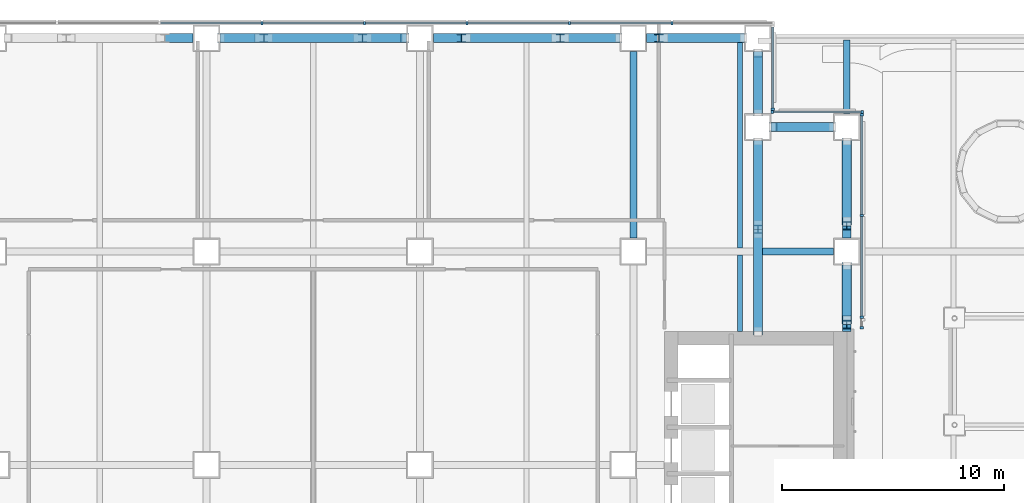
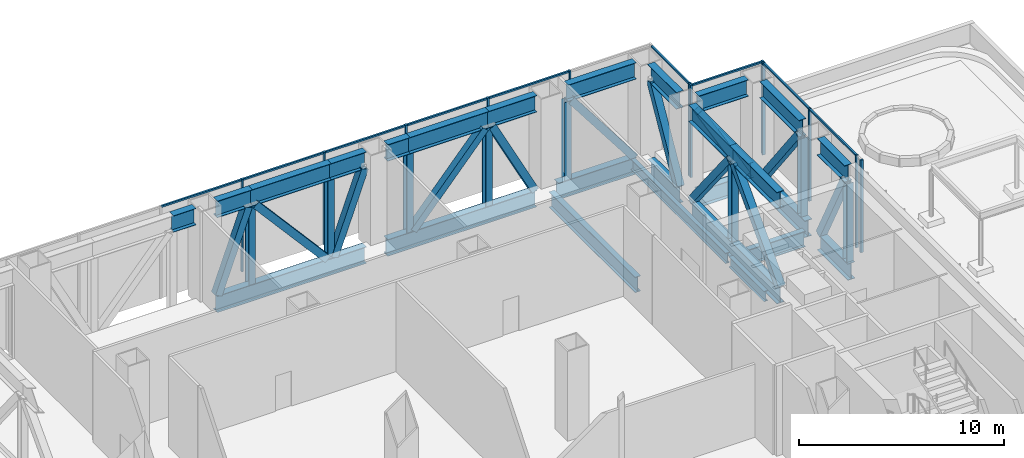
# One storey, part 13 of 39: 63 members, 5 beams, 4 elements without a shape of their own.
"""IFC4 building model written with IfcOpenShell, lengths in metres."""

import ifcopenshell
import ifcopenshell.guid

model = None  # the IFC model being written
_history = None  # IfcOwnerHistory: only IFC2X3 demands one
_inside = {}  # id of a spatial element -> (the spatial element, [elements in it])
_under = {}  # id of a project, library or spatial element -> (it, [spatial elements below it])
_declared = {}  # id of a project -> (the project, [libraries it declares])
_typed = {}  # id of a type object -> (the type object, [elements of that type])
_made_of = {}  # id of a material, layer set ... -> (it, [elements and type objects made of it])


def new_model(schema):
    """Start an empty IFC model of exactly this schema.

    Asked for "IFC4X3", IfcOpenShell would pick the latest addendum, in which some entities
    have other attributes; the version numbers below select the first issue.
    IFC2X3 requires an IfcOwnerHistory on every rooted entity: one is made here for all.
    """
    global model, _history
    if schema == "IFC4X3":
        model = ifcopenshell.file(schema_version=(4, 3, 0, 0))
    else:
        model = ifcopenshell.file(schema=schema)
    _inside.clear()
    _under.clear()
    _declared.clear()
    _typed.clear()
    _made_of.clear()
    _history = None
    if model.schema == "IFC2X3":
        org = make("IfcOrganization", Name="unknown")
        user = make(
            "IfcPersonAndOrganization",
            ThePerson=make("IfcPerson", FamilyName="unknown"),
            TheOrganization=org,
        )
        app = make(
            "IfcApplication",
            ApplicationDeveloper=org,
            Version="unknown",
            ApplicationFullName="unknown",
            ApplicationIdentifier="unknown",
        )
        _history = make(
            "IfcOwnerHistory",
            OwningUser=user,
            OwningApplication=app,
            ChangeAction="ADDED",
            CreationDate=0,
        )
    return model


def make(cls, **values):
    """One entity of the class cls with the attributes given. An attribute that is None is left unset."""
    return model.create_entity(
        cls, **{name: value for name, value in values.items() if value is not None}
    )


def rooted(cls, **values):
    """An entity with a GlobalId (a new one), such as an element, a storey or a relation."""
    return make(cls, GlobalId=ifcopenshell.guid.new(), OwnerHistory=_history, **values)


def si_unit(unit_type, name, prefix=None):
    """IfcSIUnit, for example si_unit("LENGTHUNIT", "METRE", prefix="MILLI")."""
    return make("IfcSIUnit", UnitType=unit_type, Prefix=prefix, Name=name)


def assignment(units):
    """IfcUnitAssignment: the units of a project."""
    return None if units is None else make("IfcUnitAssignment", Units=units)


def point(xyz):
    """IfcCartesianPoint."""
    return None if xyz is None else make("IfcCartesianPoint", Coordinates=xyz)


def direction(xyz):
    """IfcDirection."""
    return None if xyz is None else make("IfcDirection", DirectionRatios=xyz)


def frame(location, z_axis=None, x_axis=None):
    """IfcAxis2Placement3D, a coordinate frame: its origin and axes. An axis left out is left unset."""
    return make(
        "IfcAxis2Placement3D",
        Location=point(location),
        Axis=direction(z_axis),
        RefDirection=direction(x_axis),
    )


def frame_2d(location, x_axis=None):
    """IfcAxis2Placement2D, a coordinate frame in the plane: its origin and x axis."""
    return make(
        "IfcAxis2Placement2D", Location=point(location), RefDirection=direction(x_axis)
    )


def origin():
    """The frame at (0, 0, 0) with its axes left unset."""
    return frame((0.0, 0.0, 0.0))


def origin_2d():
    """The frame at (0, 0) in the plane with its x axis left unset."""
    return frame_2d((0.0, 0.0))


def place(relative_to, where):
    """IfcLocalPlacement: puts the frame where relative to a parent placement (None: the world)."""
    return make(
        "IfcLocalPlacement", PlacementRelTo=relative_to, RelativePlacement=where
    )


def context(
    kind, dimensions, precision=None, world=None, true_north=None, identifier=None
):
    """IfcGeometricRepresentationContext, for example the 3D "Model" context."""
    return make(
        "IfcGeometricRepresentationContext",
        ContextIdentifier=identifier,
        ContextType=kind,
        CoordinateSpaceDimension=dimensions,
        Precision=precision,
        WorldCoordinateSystem=world,
        TrueNorth=true_north,
    )


def subcontext(parent, identifier, kind, view, scale=None):
    """IfcGeometricRepresentationSubContext, for example "Body" below "Model"."""
    return make(
        "IfcGeometricRepresentationSubContext",
        ContextIdentifier=identifier,
        ContextType=kind,
        ParentContext=parent,
        TargetScale=scale,
        TargetView=view,
    )


def project(units=None, contexts=None):
    """IfcProject with its units and contexts."""
    return rooted(
        "IfcProject",
        Name="project",
        RepresentationContexts=contexts,
        UnitsInContext=assignment(units),
    )


def spatial(cls, under=None, at=None, **own):
    """A site, building, storey or space (cls), placed at a placement, below another one or the project."""
    s = rooted(cls, ObjectPlacement=at, **own)
    if under is not None:
        _under.setdefault(under.id(), (under, []))[1].append(s)
    return s


def profile(cls, at=None, kind="AREA", **sizes):
    """A parametric profile (cls). Its sizes go by their IFC names, for example OverallWidth=200.0."""
    return make(cls, ProfileType=kind, Position=at, **sizes)


def rectangle(**sizes):
    """IfcRectangleProfileDef."""
    return profile("IfcRectangleProfileDef", **sizes)


def hollow_rectangle(**sizes):
    """IfcRectangleHollowProfileDef."""
    return profile("IfcRectangleHollowProfileDef", **sizes)


def i_section(**sizes):
    """IfcIShapeProfileDef."""
    return profile("IfcIShapeProfileDef", **sizes)


def extrude(swept, where, along, depth):
    """IfcExtrudedAreaSolid: the profile swept, set in the frame where, extruded along a direction by depth."""
    return make(
        "IfcExtrudedAreaSolid",
        SweptArea=swept,
        Position=where,
        ExtrudedDirection=direction(along),
        Depth=depth,
    )


def shape(context_of_items, identifier, shape_type, items):
    """IfcShapeRepresentation: the items that make up one representation, for example the "Body"."""
    return make(
        "IfcShapeRepresentation",
        ContextOfItems=context_of_items,
        RepresentationIdentifier=identifier,
        RepresentationType=shape_type,
        Items=items,
    )


def material(Name=None, Category=None):
    """IfcMaterial."""
    return make("IfcMaterial", Name=Name, Category=Category)


def material_profile(
    of_material, cross_section, Name=None, Category=None, Priority=None
):
    """IfcMaterialProfile: a cross section and its material."""
    return make(
        "IfcMaterialProfile",
        Name=Name,
        Material=of_material,
        Profile=cross_section,
        Priority=Priority,
        Category=Category,
    )


def profile_set(profiles, Name=None, composite=None):
    """IfcMaterialProfileSet."""
    return make(
        "IfcMaterialProfileSet",
        Name=Name,
        MaterialProfiles=profiles,
        CompositeProfile=composite,
    )


def made_of(thing, what):
    """Note that an element or type object is made of a material, layer set ...; save() writes the relation."""
    if what is not None:
        _made_of.setdefault(what.id(), (what, []))[1].append(thing)
    return thing


def type_object(cls, material=None, **own):
    """A type object (cls), such as IfcWallType, which elements share."""
    return made_of(rooted(cls, **own), material)


def element(
    cls,
    number,
    at=None,
    inside=None,
    cuts=None,
    type_object=None,
    material=None,
    context=None,
    identifier="Body",
    shape_type=None,
    held_by="IfcProductDefinitionShape",
    body=None,
    shapes=None,
    **own,
):
    """One element of the class cls, such as IfcWall. Its Tag is "e" and its number.

    at: its placement. inside: the storey or other place that contains it. cuts: it is an
    opening in that element (IfcRelVoidsElement). A single representation is given by context,
    identifier, shape_type and body (its items); several are given by shapes. held_by: the class
    of the entity that holds the representations. save() writes the other relations.
    """
    e = rooted(cls, Tag="e%d" % number, ObjectPlacement=at, **own)
    if body is not None:
        shapes = [shape(context, identifier, shape_type, body)]
    if shapes is not None:
        e.Representation = make(held_by, Representations=shapes)
    if inside is not None:
        _inside.setdefault(inside.id(), (inside, []))[1].append(e)
    if cuts is not None:
        rooted(
            "IfcRelVoidsElement", RelatingBuildingElement=cuts, RelatedOpeningElement=e
        )
    if type_object is not None:
        _typed.setdefault(type_object.id(), (type_object, []))[1].append(e)
    return made_of(e, material)


def aggregate(whole, parts):
    """IfcRelAggregates: a whole, such as a stair, and the parts it consists of."""
    return rooted("IfcRelAggregates", RelatingObject=whole, RelatedObjects=parts)


def save(model, path):
    """Write the relations noted so far, then the file.

    IfcRelAggregates (storeys below a building ...), IfcRelContainedInSpatialStructure (elements
    in a storey), IfcRelDefinesByType, IfcRelAssociatesMaterial and IfcRelDeclares: one each for
    every whole, place, type object, material and project.
    """
    for whole, parts in _under.values():
        aggregate(whole, parts)
    for where, things in _inside.values():
        rooted(
            "IfcRelContainedInSpatialStructure",
            RelatedElements=things,
            RelatingStructure=where,
        )
    for kind, things in _typed.values():
        rooted("IfcRelDefinesByType", RelatedObjects=things, RelatingType=kind)
    for what, things in _made_of.values():
        rooted("IfcRelAssociatesMaterial", RelatedObjects=things, RelatingMaterial=what)
    for by, libraries in _declared.values():
        rooted("IfcRelDeclares", RelatingContext=by, RelatedDefinitions=libraries)
    model.write(path)


model = new_model("IFC4")

# Units and contexts
model_context = context("Model", 3, precision=1e-05, world=origin(), true_north=direction((0.0, 1.0)))
body_context = subcontext(model_context, "Body", "Model", "MODEL_VIEW")
ifc_project = project(units=[si_unit("LENGTHUNIT", "METRE"), si_unit("AREAUNIT", "SQUARE_METRE"), si_unit("VOLUMEUNIT", "CUBIC_METRE"), si_unit("PLANEANGLEUNIT", "RADIAN"), si_unit("MASSUNIT", "GRAM", prefix="KILO")], contexts=[model_context])

# Site, building, storey
site_placement = place(None, origin())
site = spatial("IfcSite", under=ifc_project, at=site_placement, CompositionType="ELEMENT")
building_placement = place(site_placement, origin())
building = spatial("IfcBuilding", under=site, at=building_placement, Name="Cobrizo Arcos Hotel Tower", CompositionType="ELEMENT")
storey_placement = place(building_placement, frame((0.0, 0.0, 33.5)))
storey = spatial("IfcBuildingStorey", under=building, at=storey_placement, Name="L06", CompositionType="ELEMENT", Elevation=33.5)

# Curtain wall, members
ifc_material_1 = material(Name="Aluminium 6063-T6 anodised bronze", Category="aluminium")
curtain_wall_type = type_object("IfcCurtainWallType", Name="CW-D plant louvre wall", PredefinedType="NOTDEFINED", material=ifc_material_1)
curtain_wall_1_placement = place(storey_placement, origin())
curtain_wall_1 = element("IfcCurtainWall", 1, at=curtain_wall_1_placement, inside=storey, type_object=curtain_wall_type, Name="CW-D L06 E face", PredefinedType="NOTDEFINED")
ifc_material_profile_1 = material_profile(ifc_material_1, rectangle(XDim=0.14990234375, YDim=0.10009765625, at=origin_2d()), Name="CW-D mullion 150x100")
ifc_profile_set_1 = profile_set([ifc_material_profile_1], Name="Aluminium 6063-T6 anodised bronze")
member_type_1 = type_object("IfcMemberType", Name="CW-D mullion 150x100", PredefinedType="MULLION", material=ifc_profile_set_1)
member_1_placement = place(storey_placement, frame((24.675048828125, 10.974365234375, 0.0), z_axis=(0.0, 0.0, 1.0), x_axis=(1.0, 0.0, 0.0)))
member_1 = element("IfcMember", 2, at=member_1_placement, type_object=member_type_1, Name="CW-D mullion 1", PredefinedType="MULLION", context=body_context, shape_type="SweptSolid", body=[
    extrude(rectangle(XDim=0.14990234375, YDim=0.10009765625, at=origin_2d()), origin(), (0.0, 0.0, 1.0), 5.5),
])
member_2_placement = place(storey_placement, frame((24.675048828125, 11.4443359375, 0.0), z_axis=(0.0, 0.0, 1.0), x_axis=(1.0, 0.0, 0.0)))
member_2 = element("IfcMember", 3, at=member_2_placement, type_object=member_type_1, Name="CW-D mullion 2", PredefinedType="MULLION", context=body_context, shape_type="SweptSolid", body=[
    extrude(rectangle(XDim=0.14990234375, YDim=0.10009765625, at=origin_2d()), origin(), (0.0, 0.0, 1.0), 5.5),
])
member_3_placement = place(storey_placement, frame((24.675048828125, 16.022216796875, 0.0), z_axis=(0.0, 0.0, 1.0), x_axis=(1.0, 0.0, 0.0)))
member_3 = element("IfcMember", 4, at=member_3_placement, type_object=member_type_1, Name="CW-D mullion 3", PredefinedType="MULLION", context=body_context, shape_type="SweptSolid", body=[
    extrude(rectangle(XDim=0.14990234375, YDim=0.10009765625, at=origin_2d()), origin(), (0.0, 0.0, 1.0), 5.5),
])
member_4_placement = place(storey_placement, frame((24.675048828125, 20.550048828125, 0.0), z_axis=(0.0, 0.0, 1.0), x_axis=(1.0, 0.0, 0.0)))
member_4 = element("IfcMember", 5, at=member_4_placement, type_object=member_type_1, Name="CW-D mullion 4", PredefinedType="MULLION", context=body_context, shape_type="SweptSolid", body=[
    extrude(rectangle(XDim=0.14990234375, YDim=0.10009765625, at=origin_2d()), origin(), (0.0, 0.0, 1.0), 5.5),
])

curtain_wall_2_placement = place(storey_placement, origin())
curtain_wall_2 = element("IfcCurtainWall", 6, at=curtain_wall_2_placement, inside=storey, type_object=curtain_wall_type, Name="CW-D L06 N face", PredefinedType="NOTDEFINED")
member_5_placement = place(storey_placement, frame((24.699951171875, 20.675048828125, 0.0), z_axis=(0.0, 0.0, 1.0), x_axis=(0.0, 1.0, 0.0)))
member_5 = element("IfcMember", 7, at=member_5_placement, type_object=member_type_1, Name="CW-D mullion 1", PredefinedType="MULLION", context=body_context, shape_type="SweptSolid", body=[
    extrude(rectangle(XDim=0.14990234375, YDim=0.10009765625, at=origin_2d()), origin(), (0.0, 0.0, 1.0), 5.5),
])
member_6_placement = place(storey_placement, frame((20.64990234375, 20.675048828125, 0.0), z_axis=(0.0, 0.0, 1.0), x_axis=(0.0, 1.0, 0.0)))
member_6 = element("IfcMember", 8, at=member_6_placement, type_object=member_type_1, Name="CW-D mullion 2", PredefinedType="MULLION", context=body_context, shape_type="SweptSolid", body=[
    extrude(rectangle(XDim=0.14990234375, YDim=0.10009765625, at=origin_2d()), origin(), (0.0, 0.0, 1.0), 5.5),
])

# Curtain wall, member
curtain_wall_3_placement = place(storey_placement, origin())
curtain_wall_3 = element("IfcCurtainWall", 9, at=curtain_wall_3_placement, inside=storey, type_object=curtain_wall_type, Name="CW-D L06 E face", PredefinedType="NOTDEFINED")
member_7_placement = place(storey_placement, frame((20.675048828125, 20.800048828125, 0.0), z_axis=(0.0, 0.0, 1.0), x_axis=(1.0, 0.0, 0.0)))
member_7 = element("IfcMember", 10, at=member_7_placement, type_object=member_type_1, Name="CW-D mullion 1", PredefinedType="MULLION", context=body_context, shape_type="SweptSolid", body=[
    extrude(rectangle(XDim=0.14990234375, YDim=0.10009765625, at=origin_2d()), origin(), (0.0, 0.0, 1.0), 5.5),
])

# Curtain wall, members
curtain_wall_4_placement = place(storey_placement, origin())
curtain_wall_4 = element("IfcCurtainWall", 11, at=curtain_wall_4_placement, inside=storey, type_object=curtain_wall_type, Name="CW-D L06 N face", PredefinedType="NOTDEFINED")
member_8_placement = place(storey_placement, frame((16.138916015625, 24.675048828125, 0.0), z_axis=(0.0, 0.0, 1.0), x_axis=(0.0, 1.0, 0.0)))
member_8 = element("IfcMember", 12, at=member_8_placement, type_object=member_type_1, Name="CW-D mullion 2", PredefinedType="MULLION", context=body_context, shape_type="SweptSolid", body=[
    extrude(rectangle(XDim=0.14990234375, YDim=0.10009765625, at=origin_2d()), origin(), (0.0, 0.0, 1.0), 5.5),
])
member_9_placement = place(storey_placement, frame((11.52783203125, 24.675048828125, 0.0), z_axis=(0.0, 0.0, 1.0), x_axis=(0.0, 1.0, 0.0)))
member_9 = element("IfcMember", 13, at=member_9_placement, type_object=member_type_1, Name="CW-D mullion 3", PredefinedType="MULLION", context=body_context, shape_type="SweptSolid", body=[
    extrude(rectangle(XDim=0.14990234375, YDim=0.10009765625, at=origin_2d()), origin(), (0.0, 0.0, 1.0), 5.5),
])
member_10_placement = place(storey_placement, frame((6.916748046875, 24.675048828125, 0.0), z_axis=(0.0, 0.0, 1.0), x_axis=(0.0, 1.0, 0.0)))
member_10 = element("IfcMember", 14, at=member_10_placement, type_object=member_type_1, Name="CW-D mullion 4", PredefinedType="MULLION", context=body_context, shape_type="SweptSolid", body=[
    extrude(rectangle(XDim=0.14990234375, YDim=0.10009765625, at=origin_2d()), origin(), (0.0, 0.0, 1.0), 5.5),
])
member_11_placement = place(storey_placement, frame((2.3056640625, 24.675048828125, 0.0), z_axis=(0.0, 0.0, 1.0), x_axis=(0.0, 1.0, 0.0)))
member_11 = element("IfcMember", 15, at=member_11_placement, type_object=member_type_1, Name="CW-D mullion 5", PredefinedType="MULLION", context=body_context, shape_type="SweptSolid", body=[
    extrude(rectangle(XDim=0.14990234375, YDim=0.10009765625, at=origin_2d()), origin(), (0.0, 0.0, 1.0), 5.5),
])
member_12_placement = place(storey_placement, frame((-2.3056640625, 24.675048828125, 0.0), z_axis=(0.0, 0.0, 1.0), x_axis=(0.0, 1.0, 0.0)))
member_12 = element("IfcMember", 16, at=member_12_placement, type_object=member_type_1, Name="CW-D mullion 6", PredefinedType="MULLION", context=body_context, shape_type="SweptSolid", body=[
    extrude(rectangle(XDim=0.14990234375, YDim=0.10009765625, at=origin_2d()), origin(), (0.0, 0.0, 1.0), 5.5),
])

# Member
ifc_material_profile_2 = material_profile(ifc_material_1, rectangle(XDim=0.10009765625, YDim=0.10009765625, at=origin_2d()), Name="CW-D transom 100x100")
ifc_profile_set_2 = profile_set([ifc_material_profile_2], Name="Aluminium 6063-T6 anodised bronze")
member_type_2 = type_object("IfcMemberType", Name="CW-D transom 100x100", PredefinedType="USERDEFINED", material=ifc_profile_set_2)
member_13_placement = place(storey_placement, frame((24.675048828125, 11.494384765625, 5.449951171875), z_axis=(0.0, 1.0, 0.0), x_axis=(-1.0, 0.0, 0.0)))
member_13 = element("IfcMember", 17, at=member_13_placement, type_object=member_type_2, Name="CW-D transom 338", ObjectType="TRANSOM", PredefinedType="USERDEFINED", context=body_context, shape_type="SweptSolid", body=[
    extrude(rectangle(XDim=0.10009765625, YDim=0.10009765625, at=origin_2d()), origin(), (0.0, 0.0, 1.0), 4.477783203125),
])

member_14_placement = place(storey_placement, frame((24.675048828125, 16.072265625, 5.449951171875), z_axis=(0.0, 1.0, 0.0), x_axis=(-1.0, 0.0, 0.0)))
member_14 = element("IfcMember", 18, at=member_14_placement, type_object=member_type_2, Name="CW-D transom 339", ObjectType="TRANSOM", PredefinedType="USERDEFINED", context=body_context, shape_type="SweptSolid", body=[
    extrude(rectangle(XDim=0.10009765625, YDim=0.10009765625, at=origin_2d()), origin(), (0.0, 0.0, 1.0), 4.427734375),
])

aggregate(curtain_wall_1, [member_1, member_2, member_3, member_4, member_13, member_14])

member_15_placement = place(storey_placement, frame((24.64990234375, 20.675048828125, 5.449951171875), z_axis=(-1.0, 0.0, 0.0), x_axis=(0.0, -1.0, 0.0)))
member_15 = element("IfcMember", 19, at=member_15_placement, type_object=member_type_2, Name="CW-D transom 340", ObjectType="TRANSOM", PredefinedType="USERDEFINED", context=body_context, shape_type="SweptSolid", body=[
    extrude(rectangle(XDim=0.10009765625, YDim=0.10009765625, at=origin_2d()), origin(), (0.0, 0.0, 1.0), 3.949951171875),
])

aggregate(curtain_wall_2, [member_5, member_6, member_15])

member_16_placement = place(storey_placement, frame((20.675048828125, 20.85009765625, 5.449951171875), z_axis=(0.0, 1.0, 0.0), x_axis=(-1.0, 0.0, 0.0)))
member_16 = element("IfcMember", 20, at=member_16_placement, type_object=member_type_2, Name="CW-D transom 341", ObjectType="TRANSOM", PredefinedType="USERDEFINED", context=body_context, shape_type="SweptSolid", body=[
    extrude(rectangle(XDim=0.10009765625, YDim=0.10009765625, at=origin_2d()), origin(), (0.0, 0.0, 1.0), 3.64990234375),
])

aggregate(curtain_wall_3, [member_7, member_16])

member_17_placement = place(storey_placement, frame((16.0888671875, 24.675048828125, 5.449951171875), z_axis=(-1.0, 0.0, 0.0), x_axis=(0.0, -1.0, 0.0)))
member_17 = element("IfcMember", 21, at=member_17_placement, type_object=member_type_2, Name="CW-D transom 343", ObjectType="TRANSOM", PredefinedType="USERDEFINED", context=body_context, shape_type="SweptSolid", body=[
    extrude(rectangle(XDim=0.10009765625, YDim=0.10009765625, at=origin_2d()), origin(), (0.0, 0.0, 1.0), 4.510986328125),
])

member_18_placement = place(storey_placement, frame((11.477783203125, 24.675048828125, 5.449951171875), z_axis=(-1.0, 0.0, 0.0), x_axis=(0.0, -1.0, 0.0)))
member_18 = element("IfcMember", 22, at=member_18_placement, type_object=member_type_2, Name="CW-D transom 344", ObjectType="TRANSOM", PredefinedType="USERDEFINED", context=body_context, shape_type="SweptSolid", body=[
    extrude(rectangle(XDim=0.10009765625, YDim=0.10009765625, at=origin_2d()), origin(), (0.0, 0.0, 1.0), 4.51123046875),
])

member_19_placement = place(storey_placement, frame((6.86669921875, 24.675048828125, 5.449951171875), z_axis=(-1.0, 0.0, 0.0), x_axis=(0.0, -1.0, 0.0)))
member_19 = element("IfcMember", 23, at=member_19_placement, type_object=member_type_2, Name="CW-D transom 345", ObjectType="TRANSOM", PredefinedType="USERDEFINED", context=body_context, shape_type="SweptSolid", body=[
    extrude(rectangle(XDim=0.10009765625, YDim=0.10009765625, at=origin_2d()), origin(), (0.0, 0.0, 1.0), 4.51123046875),
])

member_20_placement = place(storey_placement, frame((2.255615234375, 24.675048828125, 5.449951171875), z_axis=(-1.0, 0.0, 0.0), x_axis=(0.0, -1.0, 0.0)))
member_20 = element("IfcMember", 24, at=member_20_placement, type_object=member_type_2, Name="CW-D transom 346", ObjectType="TRANSOM", PredefinedType="USERDEFINED", context=body_context, shape_type="SweptSolid", body=[
    extrude(rectangle(XDim=0.10009765625, YDim=0.10009765625, at=origin_2d()), origin(), (0.0, 0.0, 1.0), 4.51123046875),
])

member_21_placement = place(storey_placement, frame((-2.35546875, 24.675048828125, 5.449951171875), z_axis=(-1.0, 0.0, 0.0), x_axis=(0.0, -1.0, 0.0)))
member_21 = element("IfcMember", 25, at=member_21_placement, type_object=member_type_2, Name="CW-D transom 347", ObjectType="TRANSOM", PredefinedType="USERDEFINED", context=body_context, shape_type="SweptSolid", body=[
    extrude(rectangle(XDim=0.10009765625, YDim=0.10009765625, at=origin_2d()), origin(), (0.0, 0.0, 1.0), 4.51123046875),
])

aggregate(curtain_wall_4, [member_8, member_9, member_10, member_11, member_12, member_17, member_18, member_19, member_20, member_21])

# Members
ifc_material_2 = material(Name="Steel ASTM A500 Grade C", Category="steel")
ifc_material_profile_3 = material_profile(ifc_material_2, hollow_rectangle(XDim=0.406494140625, YDim=0.406494140625, WallThickness=0.014892578125, at=origin_2d()), Name="HSS16X16X5/8")
ifc_profile_set_3 = profile_set([ifc_material_profile_3], Name="Steel ASTM A500 Grade C")
member_type_3 = type_object("IfcMemberType", Name="HSS16X16X5/8 truss diagonal", PredefinedType="BRACE", material=ifc_profile_set_3)
member_22_placement = place(storey_placement, frame((24.0, 11.31103515625, 4.359375), z_axis=(0.0, 0.45925576927, -0.888304079914), x_axis=(-1.0, 0.0, 0.0)))
element("IfcMember", 26, at=member_22_placement, inside=storey, type_object=member_type_3, Name="Belt truss diagonal TD1, L06, no. 014", PredefinedType="BRACE", context=body_context, shape_type="SweptSolid", body=[
    extrude(hollow_rectangle(XDim=0.406494140625, YDim=0.406494140625, WallThickness=0.014892578125, at=origin_2d()), origin(), (0.0, 0.0, 1.0), 5.245361328125),
])
member_23_placement = place(storey_placement, frame((24.0, 15.756103515625, 4.359375), z_axis=(0.0, 0.607544335185, -0.794285767709), x_axis=(-1.0, 0.0, 0.0)))
element("IfcMember", 27, at=member_23_placement, inside=storey, type_object=member_type_3, Name="Belt truss diagonal TD1, L06, no. 015", PredefinedType="BRACE", context=body_context, shape_type="SweptSolid", body=[
    extrude(hollow_rectangle(XDim=0.406494140625, YDim=0.406494140625, WallThickness=0.014892578125, at=origin_2d()), origin(), (0.0, 0.0, 1.0), 5.8662109375),
])
for number, where, z_axis, x_axis, name in (
    (28, (23.320068359375, 20.0, -0.300048828125), (-0.492983815895, 0.0, 0.870038480336), (0.0, -1.0, 0.0), "Belt truss diagonal TD1, L06, no. 016"),
    (29, (20.0, 20.679931640625, -0.300048828125), (0.0, 0.492983815895, 0.870038480336), (-1.0, 0.0, 0.0), "Belt truss diagonal TD1, L06, no. 017"),
):
    element("IfcMember", number, at=place(storey_placement, frame(where, z_axis=z_axis, x_axis=x_axis)), inside=storey, type_object=member_type_3, Name=name, PredefinedType="BRACE", context=body_context, shape_type="SweptSolid", body=[
        extrude(hollow_rectangle(XDim=0.406494140625, YDim=0.406494140625, WallThickness=0.014892578125, at=origin_2d()), origin(), (0.0, 0.0, 1.0), 5.35546875),
    ])
member_24_placement = place(storey_placement, frame((19.320068359375, 24.0, -0.300048828125), z_axis=(-0.607544335185, 0.0, 0.794285767709), x_axis=(0.0, -1.0, 0.0)))
element("IfcMember", 30, at=member_24_placement, inside=storey, type_object=member_type_3, Name="Belt truss diagonal TD1, L06, no. 018", PredefinedType="BRACE", context=body_context, shape_type="SweptSolid", body=[
    extrude(hollow_rectangle(XDim=0.406494140625, YDim=0.406494140625, WallThickness=0.014892578125, at=origin_2d()), origin(), (0.0, 0.0, 1.0), 5.8662109375),
])
member_25_placement = place(storey_placement, frame((13.719970703125, 24.0, -0.300048828125), z_axis=(-0.45925576927, 0.0, 0.888304079914), x_axis=(0.0, -1.0, 0.0)))
element("IfcMember", 31, at=member_25_placement, inside=storey, type_object=member_type_3, Name="Belt truss diagonal TD1, L06, no. 019", PredefinedType="BRACE", context=body_context, shape_type="SweptSolid", body=[
    extrude(hollow_rectangle(XDim=0.406494140625, YDim=0.406494140625, WallThickness=0.014892578125, at=origin_2d()), origin(), (0.0, 0.0, 1.0), 5.245361328125),
])
member_26_placement = place(storey_placement, frame((10.910888671875, 24.0, 4.359375), z_axis=(-0.655465194601, 0.0, -0.755225382695), x_axis=(0.0, -1.0, 0.0)))
element("IfcMember", 32, at=member_26_placement, inside=storey, type_object=member_type_3, Name="Belt truss diagonal TD1, L06, no. 020", PredefinedType="BRACE", context=body_context, shape_type="SweptSolid", body=[
    extrude(hollow_rectangle(XDim=0.406494140625, YDim=0.406494140625, WallThickness=0.014892578125, at=origin_2d()), origin(), (0.0, 0.0, 1.0), 6.169677734375),
])
member_27_placement = place(storey_placement, frame((4.1201171875, 24.0, 4.359375), z_axis=(-0.342395189483, 0.0, -0.939556030378), x_axis=(0.0, -1.0, 0.0)))
element("IfcMember", 33, at=member_27_placement, inside=storey, type_object=member_type_3, Name="Belt truss diagonal TD1, L06, no. 021", PredefinedType="BRACE", context=body_context, shape_type="SweptSolid", body=[
    extrude(hollow_rectangle(XDim=0.406494140625, YDim=0.406494140625, WallThickness=0.014892578125, at=origin_2d()), origin(), (0.0, 0.0, 1.0), 4.959228515625),
])
member_28_placement = place(storey_placement, frame((2.02197265625, 24.0, -0.300048828125), z_axis=(-0.655465194601, 0.0, 0.755225382695), x_axis=(0.0, -1.0, 0.0)))
element("IfcMember", 34, at=member_28_placement, inside=storey, type_object=member_type_3, Name="Belt truss diagonal TD1, L06, no. 022", PredefinedType="BRACE", context=body_context, shape_type="SweptSolid", body=[
    extrude(hollow_rectangle(XDim=0.406494140625, YDim=0.406494140625, WallThickness=0.014892578125, at=origin_2d()), origin(), (0.0, 0.0, 1.0), 6.169677734375),
])
member_29_placement = place(storey_placement, frame((-2.422119140625, 24.0, 4.359375), z_axis=(-0.342395189483, 0.0, -0.939556030378), x_axis=(0.0, -1.0, 0.0)))
element("IfcMember", 35, at=member_29_placement, inside=storey, type_object=member_type_3, Name="Belt truss diagonal TD1, L06, no. 023", PredefinedType="BRACE", context=body_context, shape_type="SweptSolid", body=[
    extrude(hollow_rectangle(XDim=0.406494140625, YDim=0.406494140625, WallThickness=0.014892578125, at=origin_2d()), origin(), (0.0, 0.0, 1.0), 4.959228515625),
])
member_30_placement = place(storey_placement, frame((20.0, 10.800048828125, -0.300048828125), z_axis=(0.0, 0.68656871731, 0.72706491898), x_axis=(-1.0, 0.0, 0.0)))
element("IfcMember", 36, at=member_30_placement, inside=storey, type_object=member_type_3, Name="Outrigger diagonal TD1, L06, no. 004", PredefinedType="BRACE", context=body_context, shape_type="SweptSolid", body=[
    extrude(hollow_rectangle(XDim=0.406494140625, YDim=0.406494140625, WallThickness=0.014892578125, at=origin_2d()), origin(), (0.0, 0.0, 1.0), 6.408447265625),
])
member_31_placement = place(storey_placement, frame((20.0, 15.60009765625, 4.359375), z_axis=(0.0, 0.623920728492, -0.781487635576), x_axis=(-1.0, 0.0, 0.0)))
element("IfcMember", 37, at=member_31_placement, inside=storey, type_object=member_type_3, Name="Outrigger diagonal TD1, L06, no. 005", PredefinedType="BRACE", context=body_context, shape_type="SweptSolid", body=[
    extrude(hollow_rectangle(XDim=0.406494140625, YDim=0.406494140625, WallThickness=0.014892578125, at=origin_2d()), origin(), (0.0, 0.0, 1.0), 5.962158203125),
])
ifc_material_3 = material(Name="Steel ASTM A992 Grade 50", Category="steel")
ifc_material_profile_4 = material_profile(ifc_material_3, i_section(OverallWidth=0.373291015625, OverallDepth=0.373291015625, WebThickness=0.016357421875, FlangeThickness=0.026123046875, at=origin_2d()), Name="W14X132")
ifc_profile_set_4 = profile_set([ifc_material_profile_4], Name="Steel ASTM A992 Grade 50")
member_type_4 = type_object("IfcMemberType", Name="W14X132 truss post", PredefinedType="POST", material=ifc_profile_set_4)
for number, where, z_axis, x_axis, name in (
    (38, (24.0, 11.111083984375, -0.300048828125), (0.0, 0.0, 1.0), (1.0, 0.0, 0.0), "Truss post TP1, L06, no. 011"),
    (39, (24.0, 15.555908203125, -0.300048828125), (0.0, 0.0, 1.0), (1.0, 0.0, 0.0), "Truss post TP1, L06, no. 012"),
    (40, (15.555908203125, 24.0, -0.300048828125), (0.0, 0.0, 1.0), (1.0, 0.0, 0.0), "Truss post TP1, L06, no. 013"),
    (41, (11.111083984375, 24.0, -0.300048828125), (0.0, 0.0, 1.0), (1.0, 0.0, 0.0), "Truss post TP1, L06, no. 014"),
    (42, (6.6669921875, 24.0, -0.300048828125), (0.0, 0.0, 1.0), (1.0, 0.0, 0.0), "Truss post TP1, L06, no. 015"),
    (43, (2.221923828125, 24.0, -0.300048828125), (0.0, 0.0, 1.0), (1.0, 0.0, 0.0), "Truss post TP1, L06, no. 016"),
    (44, (-2.221923828125, 24.0, -0.300048828125), (0.0, 0.0, 1.0), (1.0, 0.0, 0.0), "Truss post TP1, L06, no. 017"),
    (45, (20.0, 15.39990234375, -0.300048828125), (0.0, 0.0, 1.0), (1.0, 0.0, 0.0), "Truss post TP1, L06, no. 026"),
):
    element("IfcMember", number, at=place(storey_placement, frame(where, z_axis=z_axis, x_axis=x_axis)), inside=storey, type_object=member_type_4, Name=name, PredefinedType="POST", context=body_context, shape_type="SweptSolid", body=[
        extrude(i_section(OverallWidth=0.373291015625, OverallDepth=0.373291015625, WebThickness=0.016357421875, FlangeThickness=0.026123046875, at=origin_2d()), origin(), (0.0, 0.0, 1.0), 4.659423828125),
    ])

# Beams
ifc_material_profile_5 = material_profile(ifc_material_3, i_section(OverallWidth=0.23046875, OverallDepth=0.6171875, WebThickness=0.01318359375, FlangeThickness=0.022216796875, at=origin_2d()), Name="W24X94")
ifc_profile_set_5 = profile_set([ifc_material_profile_5], Name="Steel ASTM A992 Grade 50")
beam_type_1 = type_object("IfcBeamType", Name="W24X94 podium joist", PredefinedType="JOIST", material=ifc_profile_set_5)
beam_1_placement = place(storey_placement, frame((19.199951171875, 10.81005859375, -0.608642578125), z_axis=(0.0, 1.0, 0.0), x_axis=(-1.0, 0.0, 0.0)))
element("IfcBeam", 46, at=beam_1_placement, inside=storey, type_object=beam_type_1, Name="Podium joist PJ1, L06, no. 027", PredefinedType="JOIST", context=body_context, shape_type="SweptSolid", body=[
    extrude(i_section(OverallWidth=0.23046875, OverallDepth=0.6171875, WebThickness=0.01318359375, FlangeThickness=0.022216796875, at=origin_2d()), origin(), (0.0, 0.0, 1.0), 3.436279296875),
])
beam_2_placement = place(storey_placement, frame((19.199951171875, 14.5537109375, -0.608642578125), z_axis=(0.0, 1.0, 0.0), x_axis=(-1.0, 0.0, 0.0)))
element("IfcBeam", 47, at=beam_2_placement, inside=storey, type_object=beam_type_1, Name="Podium joist PJ1, L06, no. 028", PredefinedType="JOIST", context=body_context, shape_type="SweptSolid", body=[
    extrude(i_section(OverallWidth=0.23046875, OverallDepth=0.6171875, WebThickness=0.01318359375, FlangeThickness=0.022216796875, at=origin_2d()), origin(), (0.0, 0.0, 1.0), 9.245849609375),
])
ifc_material_profile_6 = material_profile(ifc_material_3, i_section(OverallWidth=0.307373046875, OverallDepth=0.927001953125, WebThickness=0.01953125, FlangeThickness=0.031982421875, at=origin_2d()), Name="W36X194")
ifc_profile_set_6 = profile_set([ifc_material_profile_6], Name="Steel ASTM A992 Grade 50")
beam_type_2 = type_object("IfcBeamType", Name="W36X194 podium girder", PredefinedType="BEAM", material=ifc_profile_set_6)
beam_3_placement = place(storey_placement, frame((20.200439453125, 14.39990234375, -0.763427734375), z_axis=(1.0, 0.0, 0.0), x_axis=(0.0, 1.0, 0.0)))
element("IfcBeam", 48, at=beam_3_placement, inside=storey, type_object=beam_type_2, Name="Podium girder PG1, L06, no. 036", PredefinedType="BEAM", context=body_context, shape_type="SweptSolid", body=[
    extrude(i_section(OverallWidth=0.307373046875, OverallDepth=0.927001953125, WebThickness=0.01953125, FlangeThickness=0.031982421875, at=origin_2d()), origin(), (0.0, 0.0, 1.0), 3.199462890625),
])
beam_4_placement = place(storey_placement, frame((14.39990234375, 15.0, -0.763427734375), z_axis=(0.0, 1.0, 0.0), x_axis=(-1.0, 0.0, 0.0)))
element("IfcBeam", 49, at=beam_4_placement, inside=storey, type_object=beam_type_2, Name="Podium girder PG1, L06, no. 065", PredefinedType="BEAM", context=body_context, shape_type="SweptSolid", body=[
    extrude(i_section(OverallWidth=0.307373046875, OverallDepth=0.927001953125, WebThickness=0.01953125, FlangeThickness=0.031982421875, at=origin_2d()), origin(), (0.0, 0.0, 1.0), 8.39990234375),
])
beam_5_placement = place(storey_placement, frame((24.0, 20.60009765625, -0.763427734375), z_axis=(0.0, 1.0, 0.0), x_axis=(-1.0, 0.0, 0.0)))
element("IfcBeam", 50, at=beam_5_placement, inside=storey, type_object=beam_type_2, Name="Podium girder PG1, L06, no. 067", PredefinedType="BEAM", context=body_context, shape_type="SweptSolid", body=[
    extrude(i_section(OverallWidth=0.307373046875, OverallDepth=0.927001953125, WebThickness=0.01953125, FlangeThickness=0.031982421875, at=origin_2d()), origin(), (0.0, 0.0, 1.0), 3.309814453125),
])

# Members
ifc_material_profile_7 = material_profile(ifc_material_3, i_section(OverallWidth=0.4013671875, OverallDepth=0.990478515625, WebThickness=0.0166015625, FlangeThickness=0.025390625, at=origin_2d()), Name="W40X215")
ifc_profile_set_7 = profile_set([ifc_material_profile_7], Name="Steel ASTM A992 Grade 50")
member_type_5 = type_object("IfcMemberType", Name="W40X215 belt truss chord", PredefinedType="CHORD", material=ifc_profile_set_7)
member_32_placement = place(storey_placement, frame((24.0, 10.801025390625, -0.79541015625), z_axis=(0.0, 1.0, 0.0), x_axis=(-1.0, 0.0, 0.0)))
element("IfcMember", 51, at=member_32_placement, inside=storey, type_object=member_type_5, Name="Belt truss bottom chord TC1, L06, no. 010", PredefinedType="CHORD", context=body_context, shape_type="SweptSolid", body=[
    extrude(i_section(OverallWidth=0.4013671875, OverallDepth=0.990478515625, WebThickness=0.0166015625, FlangeThickness=0.025390625, at=origin_2d()), origin(), (0.0, 0.0, 1.0), 2.9990234375),
])
member_33_placement = place(storey_placement, frame((24.0, 15.0, -0.79541015625), z_axis=(0.0, 1.0, 0.0), x_axis=(-1.0, 0.0, 0.0)))
element("IfcMember", 52, at=member_33_placement, inside=storey, type_object=member_type_5, Name="Belt truss bottom chord TC1, L06, no. 011", PredefinedType="CHORD", context=body_context, shape_type="SweptSolid", body=[
    extrude(i_section(OverallWidth=0.4013671875, OverallDepth=0.990478515625, WebThickness=0.0166015625, FlangeThickness=0.025390625, at=origin_2d()), origin(), (0.0, 0.0, 1.0), 4.39990234375),
])
member_34_placement = place(storey_placement, frame((24.0, 11.111083984375, 4.854736328125), z_axis=(0.0, 1.0, 0.0), x_axis=(-1.0, 0.0, 0.0)))
element("IfcMember", 53, at=member_34_placement, inside=storey, type_object=member_type_5, Name="Belt truss top chord TC1, L06, no. 016", PredefinedType="CHORD", context=body_context, shape_type="SweptSolid", body=[
    extrude(i_section(OverallWidth=0.4013671875, OverallDepth=0.990478515625, WebThickness=0.0166015625, FlangeThickness=0.025390625, at=origin_2d()), origin(), (0.0, 0.0, 1.0), 2.68896484375),
])
member_35_placement = place(storey_placement, frame((24.0, 15.555908203125, 4.854736328125), z_axis=(0.0, 1.0, 0.0), x_axis=(-1.0, 0.0, 0.0)))
element("IfcMember", 54, at=member_35_placement, inside=storey, type_object=member_type_5, Name="Belt truss top chord TC1, L06, no. 017", PredefinedType="CHORD", context=body_context, shape_type="SweptSolid", body=[
    extrude(i_section(OverallWidth=0.4013671875, OverallDepth=0.990478515625, WebThickness=0.0166015625, FlangeThickness=0.025390625, at=origin_2d()), origin(), (0.0, 0.0, 1.0), 3.843994140625),
])
for number, where, z_axis, x_axis, name in (
    (55, (23.39990234375, 20.0, -0.79541015625), (-1.0, 0.0, 0.0), (0.0, -1.0, 0.0), "Belt truss bottom chord TC1, L06, no. 012"),
    (56, (23.39990234375, 20.0, 4.854736328125), (-1.0, 0.0, 0.0), (0.0, -1.0, 0.0), "Belt truss top chord TC1, L06, no. 018"),
    (57, (20.0, 20.60009765625, -0.79541015625), (0.0, 1.0, 0.0), (-1.0, 0.0, 0.0), "Belt truss bottom chord TC1, L06, no. 013"),
    (58, (20.0, 20.60009765625, 4.854736328125), (0.0, 1.0, 0.0), (-1.0, 0.0, 0.0), "Belt truss top chord TC1, L06, no. 019"),
):
    element("IfcMember", number, at=place(storey_placement, frame(where, z_axis=z_axis, x_axis=x_axis)), inside=storey, type_object=member_type_5, Name=name, PredefinedType="CHORD", context=body_context, shape_type="SweptSolid", body=[
        extrude(i_section(OverallWidth=0.4013671875, OverallDepth=0.990478515625, WebThickness=0.0166015625, FlangeThickness=0.025390625, at=origin_2d()), origin(), (0.0, 0.0, 1.0), 2.7998046875),
    ])
member_36_placement = place(storey_placement, frame((19.39990234375, 24.0, -0.79541015625), z_axis=(-1.0, 0.0, 0.0), x_axis=(0.0, -1.0, 0.0)))
element("IfcMember", 59, at=member_36_placement, inside=storey, type_object=member_type_5, Name="Belt truss bottom chord TC1, L06, no. 014", PredefinedType="CHORD", context=body_context, shape_type="SweptSolid", body=[
    extrude(i_section(OverallWidth=0.4013671875, OverallDepth=0.990478515625, WebThickness=0.0166015625, FlangeThickness=0.025390625, at=origin_2d()), origin(), (0.0, 0.0, 1.0), 4.39990234375),
])
member_37_placement = place(storey_placement, frame((13.800048828125, 24.0, -0.79541015625), z_axis=(-1.0, 0.0, 0.0), x_axis=(0.0, -1.0, 0.0)))
element("IfcMember", 60, at=member_37_placement, inside=storey, type_object=member_type_5, Name="Belt truss bottom chord TC1, L06, no. 015", PredefinedType="CHORD", context=body_context, shape_type="SweptSolid", body=[
    extrude(i_section(OverallWidth=0.4013671875, OverallDepth=0.990478515625, WebThickness=0.0166015625, FlangeThickness=0.025390625, at=origin_2d()), origin(), (0.0, 0.0, 1.0), 8.400146484375),
])
member_38_placement = place(storey_placement, frame((4.199951171875, 24.0, -0.79541015625), z_axis=(-1.0, 0.0, 0.0), x_axis=(0.0, -1.0, 0.0)))
element("IfcMember", 61, at=member_38_placement, inside=storey, type_object=member_type_5, Name="Belt truss bottom chord TC1, L06, no. 016", PredefinedType="CHORD", context=body_context, shape_type="SweptSolid", body=[
    extrude(i_section(OverallWidth=0.4013671875, OverallDepth=0.990478515625, WebThickness=0.0166015625, FlangeThickness=0.025390625, at=origin_2d()), origin(), (0.0, 0.0, 1.0), 8.39990234375),
])
member_39_placement = place(storey_placement, frame((19.39990234375, 24.0, 4.854736328125), z_axis=(-1.0, 0.0, 0.0), x_axis=(0.0, -1.0, 0.0)))
element("IfcMember", 62, at=member_39_placement, inside=storey, type_object=member_type_5, Name="Belt truss top chord TC1, L06, no. 020", PredefinedType="CHORD", context=body_context, shape_type="SweptSolid", body=[
    extrude(i_section(OverallWidth=0.4013671875, OverallDepth=0.990478515625, WebThickness=0.0166015625, FlangeThickness=0.025390625, at=origin_2d()), origin(), (0.0, 0.0, 1.0), 3.843994140625),
])
member_40_placement = place(storey_placement, frame((13.800048828125, 24.0, 4.854736328125), z_axis=(-1.0, 0.0, 0.0), x_axis=(0.0, -1.0, 0.0)))
element("IfcMember", 63, at=member_40_placement, inside=storey, type_object=member_type_5, Name="Belt truss top chord TC1, L06, no. 021", PredefinedType="CHORD", context=body_context, shape_type="SweptSolid", body=[
    extrude(i_section(OverallWidth=0.4013671875, OverallDepth=0.990478515625, WebThickness=0.0166015625, FlangeThickness=0.025390625, at=origin_2d()), origin(), (0.0, 0.0, 1.0), 2.68896484375),
])
member_41_placement = place(storey_placement, frame((11.111083984375, 24.0, 4.854736328125), z_axis=(-1.0, 0.0, 0.0), x_axis=(0.0, -1.0, 0.0)))
element("IfcMember", 64, at=member_41_placement, inside=storey, type_object=member_type_5, Name="Belt truss top chord TC1, L06, no. 022", PredefinedType="CHORD", context=body_context, shape_type="SweptSolid", body=[
    extrude(i_section(OverallWidth=0.4013671875, OverallDepth=0.990478515625, WebThickness=0.0166015625, FlangeThickness=0.025390625, at=origin_2d()), origin(), (0.0, 0.0, 1.0), 4.444091796875),
])
member_42_placement = place(storey_placement, frame((6.6669921875, 24.0, 4.854736328125), z_axis=(-1.0, 0.0, 0.0), x_axis=(0.0, -1.0, 0.0)))
element("IfcMember", 65, at=member_42_placement, inside=storey, type_object=member_type_5, Name="Belt truss top chord TC1, L06, no. 023", PredefinedType="CHORD", context=body_context, shape_type="SweptSolid", body=[
    extrude(i_section(OverallWidth=0.4013671875, OverallDepth=0.990478515625, WebThickness=0.0166015625, FlangeThickness=0.025390625, at=origin_2d()), origin(), (0.0, 0.0, 1.0), 1.26708984375),
])
member_43_placement = place(storey_placement, frame((4.199951171875, 24.0, 4.854736328125), z_axis=(-1.0, 0.0, 0.0), x_axis=(0.0, -1.0, 0.0)))
element("IfcMember", 66, at=member_43_placement, inside=storey, type_object=member_type_5, Name="Belt truss top chord TC1, L06, no. 024", PredefinedType="CHORD", context=body_context, shape_type="SweptSolid", body=[
    extrude(i_section(OverallWidth=0.4013671875, OverallDepth=0.990478515625, WebThickness=0.0166015625, FlangeThickness=0.025390625, at=origin_2d()), origin(), (0.0, 0.0, 1.0), 1.97802734375),
])
member_44_placement = place(storey_placement, frame((2.221923828125, 24.0, 4.854736328125), z_axis=(-1.0, 0.0, 0.0), x_axis=(0.0, -1.0, 0.0)))
element("IfcMember", 67, at=member_44_placement, inside=storey, type_object=member_type_5, Name="Belt truss top chord TC1, L06, no. 025", PredefinedType="CHORD", context=body_context, shape_type="SweptSolid", body=[
    extrude(i_section(OverallWidth=0.4013671875, OverallDepth=0.990478515625, WebThickness=0.0166015625, FlangeThickness=0.025390625, at=origin_2d()), origin(), (0.0, 0.0, 1.0), 4.44384765625),
])
member_45_placement = place(storey_placement, frame((-2.221923828125, 24.0, 4.854736328125), z_axis=(-1.0, 0.0, 0.0), x_axis=(0.0, -1.0, 0.0)))
element("IfcMember", 68, at=member_45_placement, inside=storey, type_object=member_type_5, Name="Belt truss top chord TC1, L06, no. 026", PredefinedType="CHORD", context=body_context, shape_type="SweptSolid", body=[
    extrude(i_section(OverallWidth=0.4013671875, OverallDepth=0.990478515625, WebThickness=0.0166015625, FlangeThickness=0.025390625, at=origin_2d()), origin(), (0.0, 0.0, 1.0), 1.97802734375),
])
member_46_placement = place(storey_placement, frame((-5.39990234375, 24.0, 4.854736328125), z_axis=(-1.0, 0.0, 0.0), x_axis=(0.0, -1.0, 0.0)))
element("IfcMember", 69, at=member_46_placement, inside=storey, type_object=member_type_5, Name="Belt truss top chord TC1, L06, no. 027", PredefinedType="CHORD", context=body_context, shape_type="SweptSolid", body=[
    extrude(i_section(OverallWidth=0.4013671875, OverallDepth=0.990478515625, WebThickness=0.0166015625, FlangeThickness=0.025390625, at=origin_2d()), origin(), (0.0, 0.0, 1.0), 1.26708984375),
])
member_47_placement = place(storey_placement, frame((20.0, 10.800048828125, -0.79541015625), z_axis=(0.0, 1.0, 0.0), x_axis=(-1.0, 0.0, 0.0)))
element("IfcMember", 70, at=member_47_placement, inside=storey, type_object=member_type_5, Name="Outrigger bottom chord TC1, L06, no. 003", PredefinedType="CHORD", context=body_context, shape_type="SweptSolid", body=[
    extrude(i_section(OverallWidth=0.4013671875, OverallDepth=0.990478515625, WebThickness=0.0166015625, FlangeThickness=0.025390625, at=origin_2d()), origin(), (0.0, 0.0, 1.0), 8.599853515625),
])
member_48_placement = place(storey_placement, frame((20.0, 10.800048828125, 4.854736328125), z_axis=(0.0, 1.0, 0.0), x_axis=(-1.0, 0.0, 0.0)))
element("IfcMember", 71, at=member_48_placement, inside=storey, type_object=member_type_5, Name="Outrigger top chord TC1, L06, no. 004", PredefinedType="CHORD", context=body_context, shape_type="SweptSolid", body=[
    extrude(i_section(OverallWidth=0.4013671875, OverallDepth=0.990478515625, WebThickness=0.0166015625, FlangeThickness=0.025390625, at=origin_2d()), origin(), (0.0, 0.0, 1.0), 4.599853515625),
])
member_49_placement = place(storey_placement, frame((20.0, 15.39990234375, 4.854736328125), z_axis=(0.0, 1.0, 0.0), x_axis=(-1.0, 0.0, 0.0)))
element("IfcMember", 72, at=member_49_placement, inside=storey, type_object=member_type_5, Name="Outrigger top chord TC1, L06, no. 005", PredefinedType="CHORD", context=body_context, shape_type="SweptSolid", body=[
    extrude(i_section(OverallWidth=0.4013671875, OverallDepth=0.990478515625, WebThickness=0.0166015625, FlangeThickness=0.025390625, at=origin_2d()), origin(), (0.0, 0.0, 1.0), 4.0),
])

save(model, "model.ifc")
